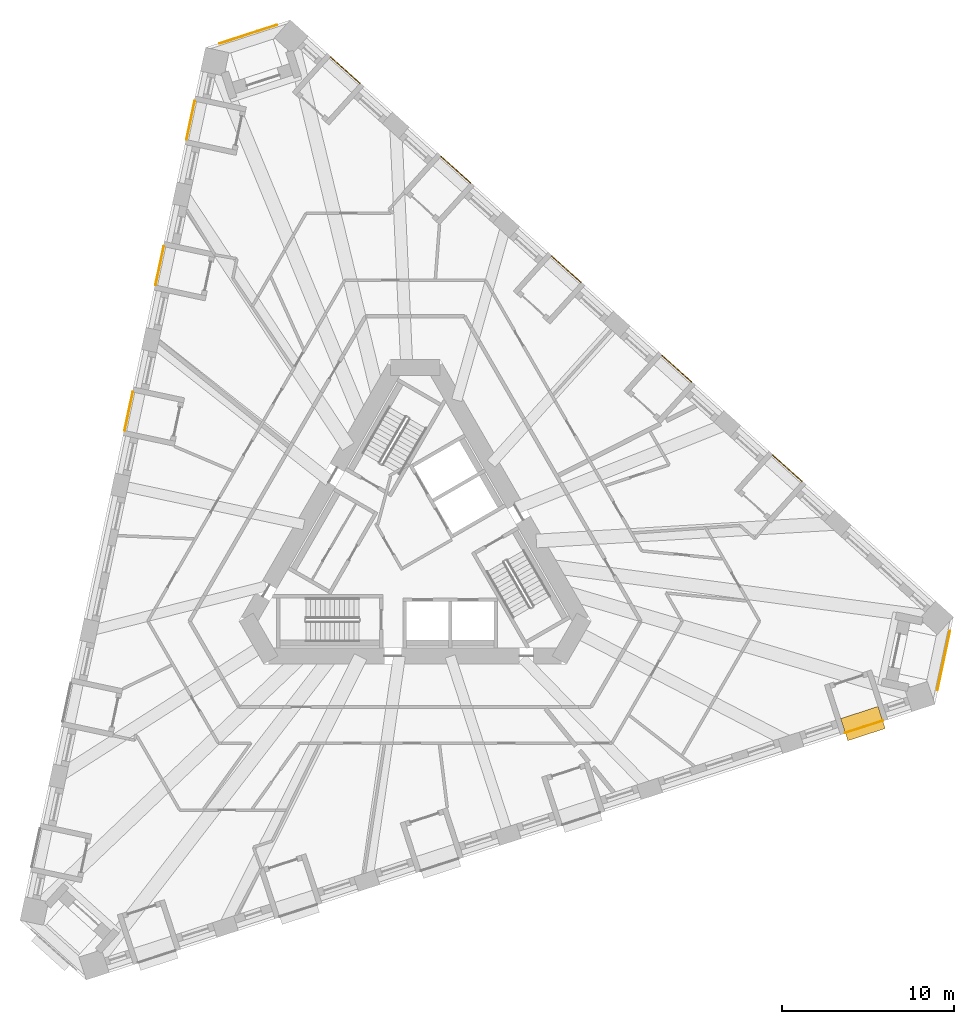
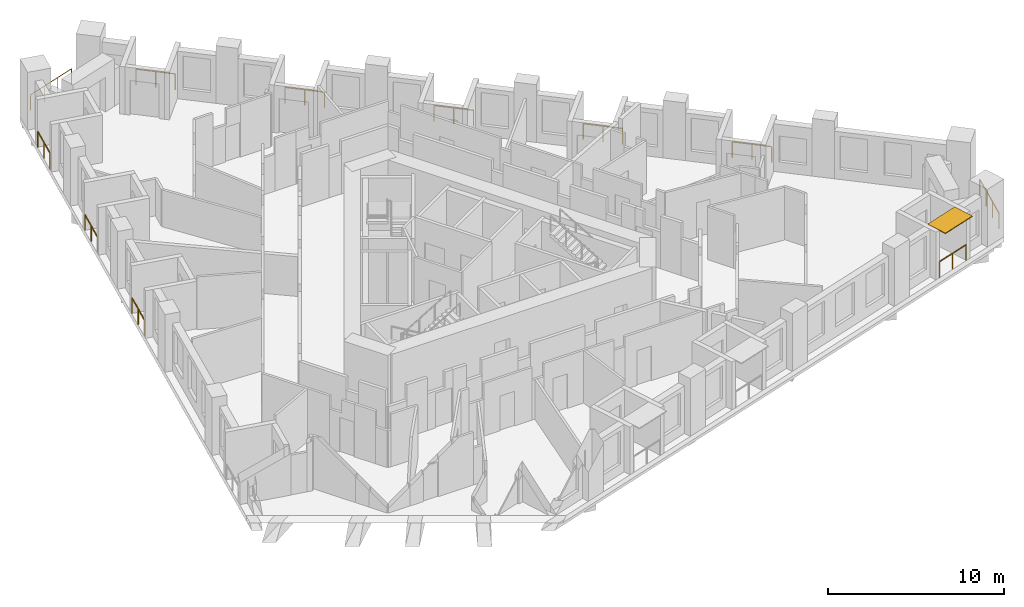
# One storey, part 13 of 13: 11 railings, 1 shading device.
"""IFC4 building model written with IfcOpenShell, lengths in metres."""

from ifc_helpers import new_model, si_unit, direction, frame, origin, origin_2d, place, context, subcontext, project, spatial, rectangle, circle, extrude, material, layer, layer_set, type_object, element, save


model = new_model("IFC4")

# Units and contexts
model_context = context("Model", 3, precision=1e-05, world=origin(), true_north=direction((0.0, 1.0)))
body_context = subcontext(model_context, "Body", "Model", "MODEL_VIEW")
ifc_project = project(units=[si_unit("LENGTHUNIT", "METRE"), si_unit("AREAUNIT", "SQUARE_METRE"), si_unit("VOLUMEUNIT", "CUBIC_METRE"), si_unit("PLANEANGLEUNIT", "RADIAN"), si_unit("MASSUNIT", "GRAM", prefix="KILO")], contexts=[model_context])

# Site, building, storey
site_placement = place(None, origin())
site = spatial("IfcSite", under=ifc_project, at=site_placement, CompositionType="ELEMENT")
building_placement = place(site_placement, origin())
building = spatial("IfcBuilding", under=site, at=building_placement, Name="Tramontana Tower", CompositionType="ELEMENT")
storey_placement = place(building_placement, frame((0.0, 0.0, 116.39990234375)))
storey = spatial("IfcBuildingStorey", under=building, at=storey_placement, Name="L26", CompositionType="ELEMENT", Elevation=116.39990234375)

# Railings
ifc_material_1 = material(Name="Laminated glass balustrade", Category="glass")
railing_type = type_object("IfcRailingType", Name="GD1 Loggia glass balustrade 1100", PredefinedType="BALUSTRADE", material=ifc_material_1)
railing_1_placement = place(storey_placement, frame((-12.838134765625, 26.031982421875, 0.0)))
element("IfcRailing", 1, at=railing_1_placement, inside=storey, type_object=railing_type, Name="Loggia balustrade L26 G2S0.1", PredefinedType="BALUSTRADE", context=body_context, shape_type="SweptSolid", body=[
    extrude(circle(Radius=0.02392578125, at=origin_2d()), frame((0.0, 0.0, 1.076171875), z_axis=(-0.207990282514, -0.978130892253, 0.0), x_axis=(0.978130892253, -0.207990282514, 0.0)), (0.0, 0.0, 1.0), 2.28662109375),
    extrude(circle(Radius=0.02099609375, at=origin_2d()), origin(), (0.0, 0.0, 1.0), 1.052001953125),
    extrude(circle(Radius=0.02099609375, at=origin_2d()), frame((-0.23779296875, -1.1181640625, 0.0)), (0.0, 0.0, 1.0), 1.052001953125),
    extrude(circle(Radius=0.02099609375, at=origin_2d()), frame((-0.4755859375, -2.236572265625, 0.0)), (0.0, 0.0, 1.0), 1.052001953125),
])
for number, where, name in (
    (2, (-14.638671875, 17.56103515625, 0.0), "Loggia balustrade L26 G2S0.4"),
    (3, (-16.439208984375, 9.090087890625, 0.0), "Loggia balustrade L26 G2S0.7"),
):
    element("IfcRailing", number, at=place(storey_placement, frame(where)), inside=storey, type_object=railing_type, Name=name, PredefinedType="BALUSTRADE", context=body_context, shape_type="SweptSolid", body=[
        extrude(circle(Radius=0.02392578125, at=origin_2d()), frame((0.0, 0.0, 1.076171875), z_axis=(-0.207968563016, -0.978135510447, 0.0), x_axis=(0.978135510447, -0.207968563016, 0.0)), (0.0, 0.0, 1.0), 2.286865234375),
        extrude(circle(Radius=0.02099609375, at=origin_2d()), origin(), (0.0, 0.0, 1.0), 1.052001953125),
        extrude(circle(Radius=0.02099609375, at=origin_2d()), frame((-0.23779296875, -1.118408203125, 0.0)), (0.0, 0.0, 1.0), 1.052001953125),
        extrude(circle(Radius=0.02099609375, at=origin_2d()), frame((-0.4755859375, -2.23681640625, 0.0)), (0.0, 0.0, 1.0), 1.052001953125),
    ])
railing_2_placement = place(storey_placement, frame((25.056640625, -10.75341796875, 0.0)))
element("IfcRailing", 4, at=railing_2_placement, inside=storey, type_object=railing_type, Name="Loggia balustrade L26 G2S1.16", PredefinedType="BALUSTRADE", context=body_context, shape_type="SweptSolid", body=[
    extrude(circle(Radius=0.02392578125, at=origin_2d()), frame((0.0, 0.0, 1.076171875), z_axis=(0.95103720697, 0.309076416051, 0.0), x_axis=(-0.309076416051, 0.95103720697, 0.0)), (0.0, 0.0, 1.0), 2.286865234375),
    extrude(circle(Radius=0.02099609375, at=origin_2d()), origin(), (0.0, 0.0, 1.0), 1.052001953125),
    extrude(circle(Radius=0.02099609375, at=origin_2d()), frame((1.08740234375, 0.353515625, 0.0)), (0.0, 0.0, 1.0), 1.052001953125),
    extrude(circle(Radius=0.02099609375, at=origin_2d()), frame((2.1748046875, 0.706787109375, 0.0)), (0.0, 0.0, 1.0), 1.052001953125),
])
for number, where, name in (
    (5, (22.527587890625, 3.89697265625, 0.0), "Loggia balustrade L26 G2S2.4"),
    (6, (16.091796875, 9.69189453125, 0.0), "Loggia balustrade L26 G2S2.7"),
):
    element("IfcRailing", number, at=place(storey_placement, frame(where)), inside=storey, type_object=railing_type, Name=name, PredefinedType="BALUSTRADE", context=body_context, shape_type="SweptSolid", body=[
        extrude(circle(Radius=0.02392578125, at=origin_2d()), frame((0.0, 0.0, 1.076171875), z_axis=(-0.743134851659, 0.66914168324, 0.0), x_axis=(-0.66914168324, -0.743134851659, 0.0)), (0.0, 0.0, 1.0), 2.28662109375),
        extrude(circle(Radius=0.02099609375, at=origin_2d()), origin(), (0.0, 0.0, 1.0), 1.052001953125),
        extrude(circle(Radius=0.02099609375, at=origin_2d()), frame((-0.849609375, 0.76513671875, 0.0)), (0.0, 0.0, 1.0), 1.052001953125),
        extrude(circle(Radius=0.02099609375, at=origin_2d()), frame((-1.69921875, 1.530029296875, 0.0)), (0.0, 0.0, 1.0), 1.052001953125),
    ])
railing_3_placement = place(storey_placement, frame((9.656005859375, 15.486572265625, 0.0)))
element("IfcRailing", 7, at=railing_3_placement, inside=storey, type_object=railing_type, Name="Loggia balustrade L26 G2S2.10", PredefinedType="BALUSTRADE", context=body_context, shape_type="SweptSolid", body=[
    extrude(circle(Radius=0.02392578125, at=origin_2d()), frame((0.0, 0.0, 1.076171875), z_axis=(-0.743081759278, 0.669200641832, 0.0), x_axis=(-0.669200641832, -0.743081759278, 0.0)), (0.0, 0.0, 1.0), 2.28662109375),
    extrude(circle(Radius=0.02099609375, at=origin_2d()), origin(), (0.0, 0.0, 1.0), 1.052001953125),
    extrude(circle(Radius=0.02099609375, at=origin_2d()), frame((-0.849609375, 0.76513671875, 0.0)), (0.0, 0.0, 1.0), 1.052001953125),
    extrude(circle(Radius=0.02099609375, at=origin_2d()), frame((-1.69921875, 1.5302734375, 0.0)), (0.0, 0.0, 1.0), 1.052001953125),
])
for number, where, name in (
    (8, (3.22021484375, 21.281494140625, 0.0), "Loggia balustrade L26 G2S2.13"),
    (9, (-3.215576171875, 27.076416015625, 0.0), "Loggia balustrade L26 G2S2.16"),
):
    element("IfcRailing", number, at=place(storey_placement, frame(where)), inside=storey, type_object=railing_type, Name=name, PredefinedType="BALUSTRADE", context=body_context, shape_type="SweptSolid", body=[
        extrude(circle(Radius=0.02392578125, at=origin_2d()), frame((0.0, 0.0, 1.076171875), z_axis=(-0.743182653308, 0.669088591909, 0.0), x_axis=(-0.669088591909, -0.743182653308, 0.0)), (0.0, 0.0, 1.0), 2.28662109375),
        extrude(circle(Radius=0.02099609375, at=origin_2d()), origin(), (0.0, 0.0, 1.0), 1.052001953125),
        extrude(circle(Radius=0.02099609375, at=origin_2d()), frame((-0.849609375, 0.76513671875, 0.0)), (0.0, 0.0, 1.0), 1.052001953125),
        extrude(circle(Radius=0.02099609375, at=origin_2d()), frame((-1.699462890625, 1.530029296875, 0.0)), (0.0, 0.0, 1.0), 1.052001953125),
    ])
railing_4_placement = place(storey_placement, frame((-11.38916015625, 29.388916015625, 0.0)))
element("IfcRailing", 10, at=railing_4_placement, inside=storey, type_object=railing_type, Name="Corner loggia balustrade L26 K20", PredefinedType="BALUSTRADE", context=body_context, shape_type="SweptSolid", body=[
    extrude(circle(Radius=0.02392578125, at=origin_2d()), frame((0.0, 0.0, 1.076171875), z_axis=(0.951062257173, 0.308999325213, 0.0), x_axis=(-0.308999325213, 0.951062257173, 0.0)), (0.0, 0.0, 1.0), 3.500244140625),
    extrude(circle(Radius=0.02099609375, at=origin_2d()), origin(), (0.0, 0.0, 1.0), 1.052001953125),
    extrude(circle(Radius=0.02099609375, at=origin_2d()), frame((1.109619140625, 0.360595703125, 0.0)), (0.0, 0.0, 1.0), 1.052001953125),
    extrude(circle(Radius=0.02099609375, at=origin_2d()), frame((2.21923828125, 0.720947265625, 0.0)), (0.0, 0.0, 1.0), 1.052001953125),
    extrude(circle(Radius=0.02099609375, at=origin_2d()), frame((3.328857421875, 1.08154296875, 0.0)), (0.0, 0.0, 1.0), 1.052001953125),
])
railing_5_placement = place(storey_placement, frame((31.146240234375, -4.831298828125, 0.0)))
element("IfcRailing", 11, at=railing_5_placement, inside=storey, type_object=railing_type, Name="Corner loggia balustrade L26 K22", PredefinedType="BALUSTRADE", context=body_context, shape_type="SweptSolid", body=[
    extrude(circle(Radius=0.02392578125, at=origin_2d()), frame((0.0, 0.0, 1.076171875), z_axis=(-0.207947190288, -0.978140054415, 0.0), x_axis=(0.978140054415, -0.207947190288, 0.0)), (0.0, 0.0, 1.0), 3.499755859375),
    extrude(circle(Radius=0.02099609375, at=origin_2d()), origin(), (0.0, 0.0, 1.0), 1.052001953125),
    extrude(circle(Radius=0.02099609375, at=origin_2d()), frame((-0.24267578125, -1.14111328125, 0.0)), (0.0, 0.0, 1.0), 1.052001953125),
    extrude(circle(Radius=0.02099609375, at=origin_2d()), frame((-0.485107421875, -2.2822265625, 0.0)), (0.0, 0.0, 1.0), 1.052001953125),
    extrude(circle(Radius=0.02099609375, at=origin_2d()), frame((-0.727783203125, -3.42333984375, 0.0)), (0.0, 0.0, 1.0), 1.052001953125),
])

# Shading device
ifc_material_2 = material(Name="Precast concrete 60 MPa", Category="concrete")
ifc_layer = layer(ifc_material_2, 0.06005859375)
ifc_layer_set = layer_set([ifc_layer], Name="SS1 Stone sunshade blade 60")
shading_device_type = type_object("IfcShadingDeviceType", Name="SS1 Stone sunshade blade 60", PredefinedType="USERDEFINED", material=ifc_layer_set)
shading_device_placement = place(storey_placement, frame((26.083740234375, -10.214599609375, 3.239990234375), z_axis=(0.0, 0.0, 1.0), x_axis=(0.951056516295, 0.309016994375, 0.0)))
element("IfcShadingDevice", 12, at=shading_device_placement, inside=storey, type_object=shading_device_type, Name="Sunshade L26 G2S1.16", ObjectType="SUNSHADE", PredefinedType="USERDEFINED", context=body_context, shape_type="SweptSolid", body=[
    extrude(rectangle(XDim=2.286865234375, YDim=1.35009765625, at=origin_2d()), origin(), (0.0, 0.0, 1.0), 0.06005859375),
])

save(model, "model.ifc")
